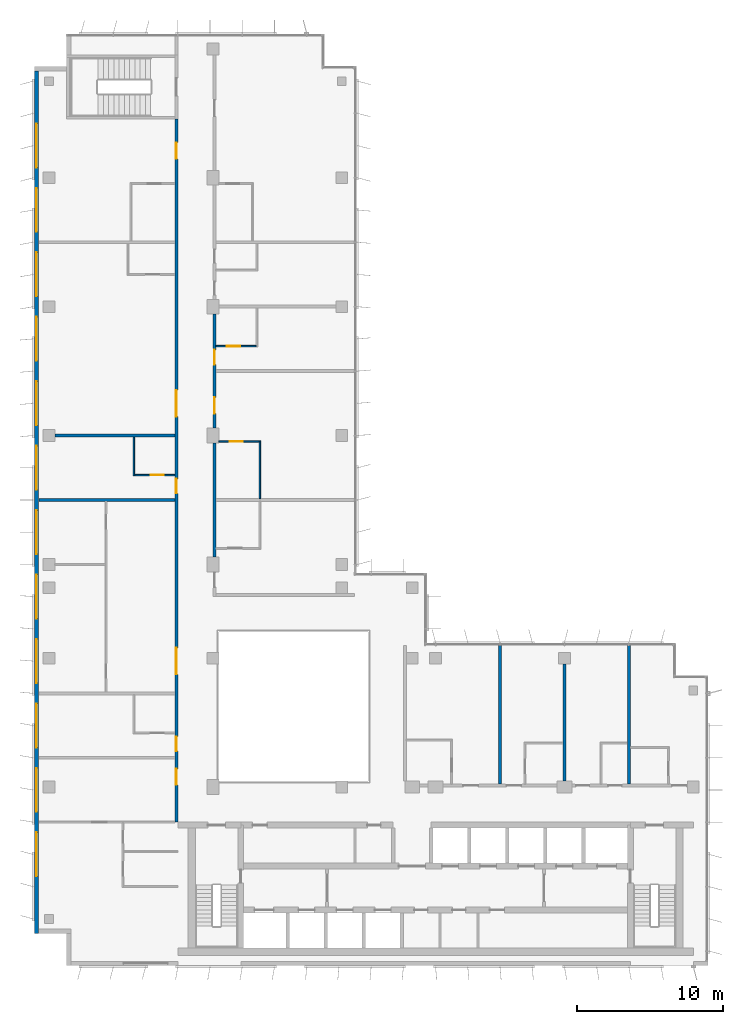
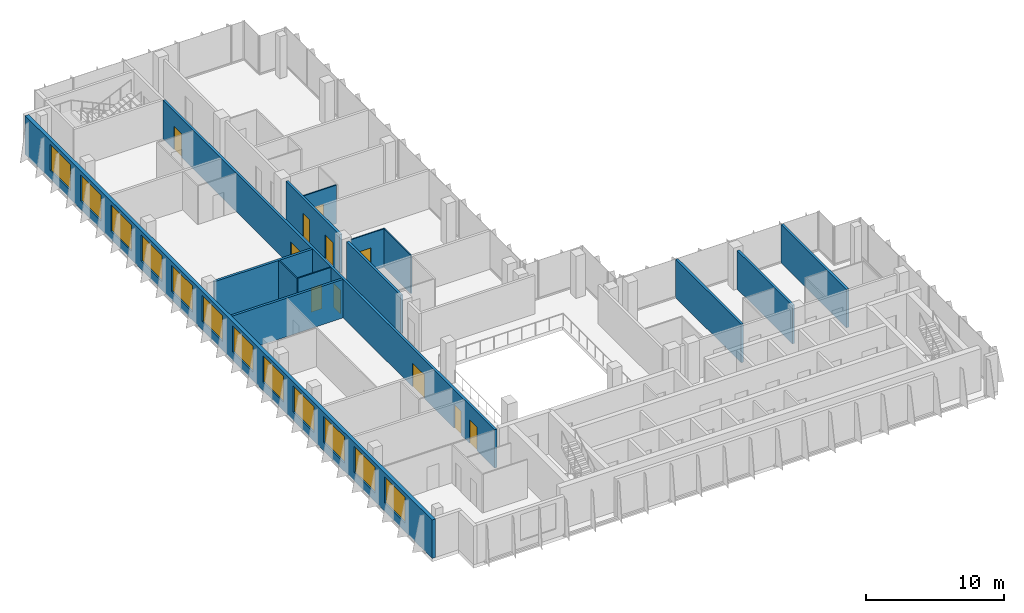
# One storey, part 11 of 15: 14 walls, 12 windows, 11 doors, 23 openings.
"""IFC4 building model written with IfcOpenShell, lengths in metres."""

from ifc_helpers import new_model, si_unit, direction, frame, frame_2d, origin, place, context, subcontext, project, spatial, rectangle, extrude, material, layer, layer_set, type_object, element, fill, save


model = new_model("IFC4")

# Units and contexts
model_context = context("Model", 3, precision=1e-05, world=origin(), true_north=direction((0.0, 1.0)))
body_context = subcontext(model_context, "Body", "Model", "MODEL_VIEW")
ifc_project = project(units=[si_unit("LENGTHUNIT", "METRE"), si_unit("AREAUNIT", "SQUARE_METRE"), si_unit("VOLUMEUNIT", "CUBIC_METRE"), si_unit("PLANEANGLEUNIT", "RADIAN"), si_unit("MASSUNIT", "GRAM", prefix="KILO")], contexts=[model_context])

# Site, building, storey
site_placement = place(None, origin())
site = spatial("IfcSite", under=ifc_project, at=site_placement, CompositionType="ELEMENT")
building_placement = place(site_placement, origin())
building = spatial("IfcBuilding", under=site, at=building_placement, Name="Kemantara Hotel Tower", CompositionType="ELEMENT")
storey_placement = place(building_placement, frame((0.0, 0.0, 275.89990234375)))
storey = spatial("IfcBuildingStorey", under=building, at=storey_placement, Name="L69", CompositionType="ELEMENT", Elevation=275.89990234375)

# Wall, openings, windows
ifc_material_1 = material(Name="Bronze anodised aluminium cladding on insulated steel stud wall", Category="steel")
ifc_layer_1 = layer(ifc_material_1, 0.300048828125)
ifc_layer_set_1 = layer_set([ifc_layer_1], Name="Bronze anodised aluminium cladding on insulated steel stud wall")
wall_type_1 = type_object("IfcWallType", Name="BRONZE METAL-CLAD EXTERNAL WALL 300", PredefinedType="STANDARD", material=ifc_layer_set_1)
wall_1_placement = place(storey_placement, frame((0.14990234375, 61.10009765625, 0.0), z_axis=(0.0, 0.0, 1.0), x_axis=(0.0, -1.0, 0.0)))
wall_1 = element("IfcWall", 1, at=wall_1_placement, inside=storey, type_object=wall_type_1, Name="EXTERNAL WALL L69 T4-R05", PredefinedType="STANDARD", context=body_context, shape_type="SweptSolid", body=[
    extrude(rectangle(XDim=58.900146484375, YDim=0.300048828125, at=frame_2d((29.4501953125, 0.0))), origin(), (0.0, 0.0, 1.0), 3.400146484375),
])
opening_1_placement = place(wall_1_placement, frame((3.60009765625, 0.0, 0.75)))
opening_1 = element("IfcOpeningElement", 2, at=opening_1_placement, cuts=wall_1, Name="Opening W1", PredefinedType="OPENING", context=body_context, shape_type="SweptSolid", body=[
    extrude(rectangle(XDim=3.0, YDim=2.300048828125, at=frame_2d((1.5, 1.14990234375))), frame((0.0, 0.159912109375, 0.0), z_axis=(0.0, -1.0, 0.0), x_axis=(1.0, 0.0, 0.0)), (0.0, 0.0, 1.0), 0.320068359375),
])
opening_2_placement = place(wall_1_placement, frame((8.0, 0.0, 0.75)))
opening_2 = element("IfcOpeningElement", 3, at=opening_2_placement, cuts=wall_1, Name="Opening W1", PredefinedType="OPENING", context=body_context, shape_type="SweptSolid", body=[
    extrude(rectangle(XDim=3.0, YDim=2.300048828125, at=frame_2d((1.5, 1.14990234375))), frame((0.0, 0.159912109375, 0.0), z_axis=(0.0, -1.0, 0.0), x_axis=(1.0, 0.0, 0.0)), (0.0, 0.0, 1.0), 0.320068359375),
])
opening_3_placement = place(wall_1_placement, frame((12.39990234375, 0.0, 0.75)))
opening_3 = element("IfcOpeningElement", 4, at=opening_3_placement, cuts=wall_1, Name="Opening W1", PredefinedType="OPENING", context=body_context, shape_type="SweptSolid", body=[
    extrude(rectangle(XDim=3.0, YDim=2.300048828125, at=frame_2d((1.5, 1.14990234375))), frame((0.0, 0.159912109375, 0.0), z_axis=(0.0, -1.0, 0.0), x_axis=(1.0, 0.0, 0.0)), (0.0, 0.0, 1.0), 0.320068359375),
])
opening_4_placement = place(wall_1_placement, frame((16.800048828125, 0.0, 0.75)))
opening_4 = element("IfcOpeningElement", 5, at=opening_4_placement, cuts=wall_1, Name="Opening W1", PredefinedType="OPENING", context=body_context, shape_type="SweptSolid", body=[
    extrude(rectangle(XDim=3.0, YDim=2.300048828125, at=frame_2d((1.5, 1.14990234375))), frame((0.0, 0.159912109375, 0.0), z_axis=(0.0, -1.0, 0.0), x_axis=(1.0, 0.0, 0.0)), (0.0, 0.0, 1.0), 0.320068359375),
])
opening_5_placement = place(wall_1_placement, frame((21.199951171875, 0.0, 0.75)))
opening_5 = element("IfcOpeningElement", 6, at=opening_5_placement, cuts=wall_1, Name="Opening W1", PredefinedType="OPENING", context=body_context, shape_type="SweptSolid", body=[
    extrude(rectangle(XDim=3.0, YDim=2.300048828125, at=frame_2d((1.5, 1.14990234375))), frame((0.0, 0.159912109375, 0.0), z_axis=(0.0, -1.0, 0.0), x_axis=(1.0, 0.0, 0.0)), (0.0, 0.0, 1.0), 0.320068359375),
])
opening_6_placement = place(wall_1_placement, frame((25.60009765625, 0.0, 0.75)))
opening_6 = element("IfcOpeningElement", 7, at=opening_6_placement, cuts=wall_1, Name="Opening W1", PredefinedType="OPENING", context=body_context, shape_type="SweptSolid", body=[
    extrude(rectangle(XDim=3.0, YDim=2.300048828125, at=frame_2d((1.5, 1.14990234375))), frame((0.0, 0.159912109375, 0.0), z_axis=(0.0, -1.0, 0.0), x_axis=(1.0, 0.0, 0.0)), (0.0, 0.0, 1.0), 0.320068359375),
])
opening_7_placement = place(wall_1_placement, frame((30.0, 0.0, 0.75)))
opening_7 = element("IfcOpeningElement", 8, at=opening_7_placement, cuts=wall_1, Name="Opening W1", PredefinedType="OPENING", context=body_context, shape_type="SweptSolid", body=[
    extrude(rectangle(XDim=3.0, YDim=2.300048828125, at=frame_2d((1.5, 1.14990234375))), frame((0.0, 0.159912109375, 0.0), z_axis=(0.0, -1.0, 0.0), x_axis=(1.0, 0.0, 0.0)), (0.0, 0.0, 1.0), 0.320068359375),
])
opening_8_placement = place(wall_1_placement, frame((34.39990234375, 0.0, 0.75)))
opening_8 = element("IfcOpeningElement", 9, at=opening_8_placement, cuts=wall_1, Name="Opening W1", PredefinedType="OPENING", context=body_context, shape_type="SweptSolid", body=[
    extrude(rectangle(XDim=3.0, YDim=2.300048828125, at=frame_2d((1.5, 1.14990234375))), frame((0.0, 0.159912109375, 0.0), z_axis=(0.0, -1.0, 0.0), x_axis=(1.0, 0.0, 0.0)), (0.0, 0.0, 1.0), 0.320068359375),
])
opening_9_placement = place(wall_1_placement, frame((38.800048828125, 0.0, 0.75)))
opening_9 = element("IfcOpeningElement", 10, at=opening_9_placement, cuts=wall_1, Name="Opening W1", PredefinedType="OPENING", context=body_context, shape_type="SweptSolid", body=[
    extrude(rectangle(XDim=3.0, YDim=2.300048828125, at=frame_2d((1.5, 1.14990234375))), frame((0.0, 0.159912109375, 0.0), z_axis=(0.0, -1.0, 0.0), x_axis=(1.0, 0.0, 0.0)), (0.0, 0.0, 1.0), 0.320068359375),
])
opening_10_placement = place(wall_1_placement, frame((43.199951171875, 0.0, 0.75)))
opening_10 = element("IfcOpeningElement", 11, at=opening_10_placement, cuts=wall_1, Name="Opening W1", PredefinedType="OPENING", context=body_context, shape_type="SweptSolid", body=[
    extrude(rectangle(XDim=3.0, YDim=2.300048828125, at=frame_2d((1.5, 1.14990234375))), frame((0.0, 0.159912109375, 0.0), z_axis=(0.0, -1.0, 0.0), x_axis=(1.0, 0.0, 0.0)), (0.0, 0.0, 1.0), 0.320068359375),
])
opening_11_placement = place(wall_1_placement, frame((47.60009765625, 0.0, 0.75)))
opening_11 = element("IfcOpeningElement", 12, at=opening_11_placement, cuts=wall_1, Name="Opening W1", PredefinedType="OPENING", context=body_context, shape_type="SweptSolid", body=[
    extrude(rectangle(XDim=3.0, YDim=2.300048828125, at=frame_2d((1.5, 1.14990234375))), frame((0.0, 0.159912109375, 0.0), z_axis=(0.0, -1.0, 0.0), x_axis=(1.0, 0.0, 0.0)), (0.0, 0.0, 1.0), 0.320068359375),
])
opening_12_placement = place(wall_1_placement, frame((52.0, 0.0, 0.75)))
opening_12 = element("IfcOpeningElement", 13, at=opening_12_placement, cuts=wall_1, Name="Opening W1", PredefinedType="OPENING", context=body_context, shape_type="SweptSolid", body=[
    extrude(rectangle(XDim=3.0, YDim=2.300048828125, at=frame_2d((1.5, 1.14990234375))), frame((0.0, 0.159912109375, 0.0), z_axis=(0.0, -1.0, 0.0), x_axis=(1.0, 0.0, 0.0)), (0.0, 0.0, 1.0), 0.320068359375),
])
ifc_material_2 = material(Name="Low-E tinted double insulated glass in bronze anodised aluminium frame", Category="aluminium")
window_type = type_object("IfcWindowType", Name="CHICAGO WINDOW, TRIPLE PANEL 3000x2300", PartitioningType="TRIPLE_PANEL_VERTICAL", PredefinedType="WINDOW", material=ifc_material_2)
window_1_placement = place(opening_1_placement, origin())
window_1 = element("IfcWindow", 14, at=window_1_placement, inside=storey, type_object=window_type, Name="CHICAGO WINDOW L69 T4-R05-54", OverallHeight=2.300048828125, OverallWidth=3.0, PartitioningType="SINGLE_PANEL", PredefinedType="WINDOW", context=body_context, shape_type="SweptSolid", body=[
    extrude(rectangle(XDim=3.0, YDim=2.300048828125, at=frame_2d((1.5, 1.14990234375))), frame((0.0, 0.030029296875, 0.0), z_axis=(0.0, -1.0, 0.0), x_axis=(1.0, 0.0, 0.0)), (0.0, 0.0, 1.0), 0.06005859375),
])
fill(opening_1, window_1)
window_2_placement = place(opening_2_placement, origin())
window_2 = element("IfcWindow", 15, at=window_2_placement, inside=storey, type_object=window_type, Name="CHICAGO WINDOW L69 T4-R05-98", OverallHeight=2.300048828125, OverallWidth=3.0, PartitioningType="SINGLE_PANEL", PredefinedType="WINDOW", context=body_context, shape_type="SweptSolid", body=[
    extrude(rectangle(XDim=3.0, YDim=2.300048828125, at=frame_2d((1.5, 1.14990234375))), frame((0.0, 0.030029296875, 0.0), z_axis=(0.0, -1.0, 0.0), x_axis=(1.0, 0.0, 0.0)), (0.0, 0.0, 1.0), 0.06005859375),
])
fill(opening_2, window_2)
window_3_placement = place(opening_3_placement, origin())
window_3 = element("IfcWindow", 16, at=window_3_placement, inside=storey, type_object=window_type, Name="CHICAGO WINDOW L69 T4-R05-142", OverallHeight=2.300048828125, OverallWidth=3.0, PartitioningType="SINGLE_PANEL", PredefinedType="WINDOW", context=body_context, shape_type="SweptSolid", body=[
    extrude(rectangle(XDim=3.0, YDim=2.300048828125, at=frame_2d((1.5, 1.14990234375))), frame((0.0, 0.030029296875, 0.0), z_axis=(0.0, -1.0, 0.0), x_axis=(1.0, 0.0, 0.0)), (0.0, 0.0, 1.0), 0.06005859375),
])
fill(opening_3, window_3)
window_4_placement = place(opening_4_placement, origin())
window_4 = element("IfcWindow", 17, at=window_4_placement, inside=storey, type_object=window_type, Name="CHICAGO WINDOW L69 T4-R05-186", OverallHeight=2.300048828125, OverallWidth=3.0, PartitioningType="SINGLE_PANEL", PredefinedType="WINDOW", context=body_context, shape_type="SweptSolid", body=[
    extrude(rectangle(XDim=3.0, YDim=2.300048828125, at=frame_2d((1.5, 1.14990234375))), frame((0.0, 0.030029296875, 0.0), z_axis=(0.0, -1.0, 0.0), x_axis=(1.0, 0.0, 0.0)), (0.0, 0.0, 1.0), 0.06005859375),
])
fill(opening_4, window_4)
window_5_placement = place(opening_5_placement, origin())
window_5 = element("IfcWindow", 18, at=window_5_placement, inside=storey, type_object=window_type, Name="CHICAGO WINDOW L69 T4-R05-230", OverallHeight=2.300048828125, OverallWidth=3.0, PartitioningType="SINGLE_PANEL", PredefinedType="WINDOW", context=body_context, shape_type="SweptSolid", body=[
    extrude(rectangle(XDim=3.0, YDim=2.300048828125, at=frame_2d((1.5, 1.14990234375))), frame((0.0, 0.030029296875, 0.0), z_axis=(0.0, -1.0, 0.0), x_axis=(1.0, 0.0, 0.0)), (0.0, 0.0, 1.0), 0.06005859375),
])
fill(opening_5, window_5)
window_6_placement = place(opening_6_placement, origin())
window_6 = element("IfcWindow", 19, at=window_6_placement, inside=storey, type_object=window_type, Name="CHICAGO WINDOW L69 T4-R05-274", OverallHeight=2.300048828125, OverallWidth=3.0, PartitioningType="SINGLE_PANEL", PredefinedType="WINDOW", context=body_context, shape_type="SweptSolid", body=[
    extrude(rectangle(XDim=3.0, YDim=2.300048828125, at=frame_2d((1.5, 1.14990234375))), frame((0.0, 0.030029296875, 0.0), z_axis=(0.0, -1.0, 0.0), x_axis=(1.0, 0.0, 0.0)), (0.0, 0.0, 1.0), 0.06005859375),
])
fill(opening_6, window_6)
window_7_placement = place(opening_7_placement, origin())
window_7 = element("IfcWindow", 20, at=window_7_placement, inside=storey, type_object=window_type, Name="CHICAGO WINDOW L69 T4-R05-318", OverallHeight=2.300048828125, OverallWidth=3.0, PartitioningType="SINGLE_PANEL", PredefinedType="WINDOW", context=body_context, shape_type="SweptSolid", body=[
    extrude(rectangle(XDim=3.0, YDim=2.300048828125, at=frame_2d((1.5, 1.14990234375))), frame((0.0, 0.030029296875, 0.0), z_axis=(0.0, -1.0, 0.0), x_axis=(1.0, 0.0, 0.0)), (0.0, 0.0, 1.0), 0.06005859375),
])
fill(opening_7, window_7)
window_8_placement = place(opening_8_placement, origin())
window_8 = element("IfcWindow", 21, at=window_8_placement, inside=storey, type_object=window_type, Name="CHICAGO WINDOW L69 T4-R05-362", OverallHeight=2.300048828125, OverallWidth=3.0, PartitioningType="SINGLE_PANEL", PredefinedType="WINDOW", context=body_context, shape_type="SweptSolid", body=[
    extrude(rectangle(XDim=3.0, YDim=2.300048828125, at=frame_2d((1.5, 1.14990234375))), frame((0.0, 0.030029296875, 0.0), z_axis=(0.0, -1.0, 0.0), x_axis=(1.0, 0.0, 0.0)), (0.0, 0.0, 1.0), 0.06005859375),
])
fill(opening_8, window_8)
window_9_placement = place(opening_9_placement, origin())
window_9 = element("IfcWindow", 22, at=window_9_placement, inside=storey, type_object=window_type, Name="CHICAGO WINDOW L69 T4-R05-406", OverallHeight=2.300048828125, OverallWidth=3.0, PartitioningType="SINGLE_PANEL", PredefinedType="WINDOW", context=body_context, shape_type="SweptSolid", body=[
    extrude(rectangle(XDim=3.0, YDim=2.300048828125, at=frame_2d((1.5, 1.14990234375))), frame((0.0, 0.030029296875, 0.0), z_axis=(0.0, -1.0, 0.0), x_axis=(1.0, 0.0, 0.0)), (0.0, 0.0, 1.0), 0.06005859375),
])
fill(opening_9, window_9)
window_10_placement = place(opening_10_placement, origin())
window_10 = element("IfcWindow", 23, at=window_10_placement, inside=storey, type_object=window_type, Name="CHICAGO WINDOW L69 T4-R05-450", OverallHeight=2.300048828125, OverallWidth=3.0, PartitioningType="SINGLE_PANEL", PredefinedType="WINDOW", context=body_context, shape_type="SweptSolid", body=[
    extrude(rectangle(XDim=3.0, YDim=2.300048828125, at=frame_2d((1.5, 1.14990234375))), frame((0.0, 0.030029296875, 0.0), z_axis=(0.0, -1.0, 0.0), x_axis=(1.0, 0.0, 0.0)), (0.0, 0.0, 1.0), 0.06005859375),
])
fill(opening_10, window_10)
window_11_placement = place(opening_11_placement, origin())
window_11 = element("IfcWindow", 24, at=window_11_placement, inside=storey, type_object=window_type, Name="CHICAGO WINDOW L69 T4-R05-494", OverallHeight=2.300048828125, OverallWidth=3.0, PartitioningType="SINGLE_PANEL", PredefinedType="WINDOW", context=body_context, shape_type="SweptSolid", body=[
    extrude(rectangle(XDim=3.0, YDim=2.300048828125, at=frame_2d((1.5, 1.14990234375))), frame((0.0, 0.030029296875, 0.0), z_axis=(0.0, -1.0, 0.0), x_axis=(1.0, 0.0, 0.0)), (0.0, 0.0, 1.0), 0.06005859375),
])
fill(opening_11, window_11)
window_12_placement = place(opening_12_placement, origin())
window_12 = element("IfcWindow", 25, at=window_12_placement, inside=storey, type_object=window_type, Name="CHICAGO WINDOW L69 T4-R05-538", OverallHeight=2.300048828125, OverallWidth=3.0, PartitioningType="SINGLE_PANEL", PredefinedType="WINDOW", context=body_context, shape_type="SweptSolid", body=[
    extrude(rectangle(XDim=3.0, YDim=2.300048828125, at=frame_2d((1.5, 1.14990234375))), frame((0.0, 0.030029296875, 0.0), z_axis=(0.0, -1.0, 0.0), x_axis=(1.0, 0.0, 0.0)), (0.0, 0.0, 1.0), 0.06005859375),
])
fill(opening_12, window_12)

# Wall, openings, doors
ifc_material_3 = material(Name="Gypsum board partition, steel studs and mineral wool, 200 mm", Category="steel")
ifc_layer_2 = layer(ifc_material_3, 0.199951171875)
ifc_layer_set_2 = layer_set([ifc_layer_2], Name="Gypsum board partition, steel studs and mineral wool, 200 mm")
wall_type_2 = type_object("IfcWallType", Name="CORRIDOR WALL 200", PredefinedType="PARTITIONING", material=ifc_layer_set_2)
wall_2_placement = place(storey_placement, frame((9.699951171875, 9.800048828125, 0.0), z_axis=(0.0, 0.0, 1.0), x_axis=(0.0, 1.0, 0.0)))
wall_2 = element("IfcWall", 26, at=wall_2_placement, inside=storey, type_object=wall_type_2, Name="CORRIDOR WALL 200 008", PredefinedType="PARTITIONING", context=body_context, shape_type="SweptSolid", body=[
    extrude(rectangle(XDim=48.0, YDim=0.199951171875, at=frame_2d((24.0, 0.0))), origin(), (0.0, 0.0, 1.0), 3.400146484375),
])
opening_13_placement = place(wall_2_placement, frame((2.550048828125, 0.0, 0.0)))
opening_13 = element("IfcOpeningElement", 27, at=opening_13_placement, cuts=wall_2, Name="Opening F34-009", PredefinedType="OPENING", context=body_context, shape_type="SweptSolid", body=[
    extrude(rectangle(XDim=1.10009765625, YDim=2.10009765625, at=frame_2d((0.550048828125, 1.050048828125))), frame((0.0, 0.10986328125, 0.0), z_axis=(0.0, -1.0, 0.0), x_axis=(1.0, 0.0, 0.0)), (0.0, 0.0, 1.0), 0.219970703125),
])
opening_14_placement = place(wall_2_placement, frame((4.85009765625, 0.0, 0.0)))
opening_14 = element("IfcOpeningElement", 28, at=opening_14_placement, cuts=wall_2, Name="Opening F34-013", PredefinedType="OPENING", context=body_context, shape_type="SweptSolid", body=[
    extrude(rectangle(XDim=1.0, YDim=2.10009765625, at=frame_2d((0.5, 1.050048828125))), frame((0.0, 0.10986328125, 0.0), z_axis=(0.0, -1.0, 0.0), x_axis=(1.0, 0.0, 0.0)), (0.0, 0.0, 1.0), 0.219970703125),
])
opening_15_placement = place(wall_2_placement, frame((10.10009765625, 0.0, 0.0)))
opening_15 = element("IfcOpeningElement", 29, at=opening_15_placement, cuts=wall_2, Name="Opening F34-015", PredefinedType="OPENING", context=body_context, shape_type="SweptSolid", body=[
    extrude(rectangle(XDim=1.800048828125, YDim=2.10009765625, at=frame_2d((0.89990234375, 1.050048828125))), frame((0.0, 0.10986328125, 0.0), z_axis=(0.0, -1.0, 0.0), x_axis=(1.0, 0.0, 0.0)), (0.0, 0.0, 1.0), 0.219970703125),
])
opening_16_placement = place(wall_2_placement, frame((22.449951171875, 0.0, 0.0)))
opening_16 = element("IfcOpeningElement", 30, at=opening_16_placement, cuts=wall_2, Name="Opening F34-018", PredefinedType="OPENING", context=body_context, shape_type="SweptSolid", body=[
    extrude(rectangle(XDim=1.0, YDim=2.10009765625, at=frame_2d((0.5, 1.050048828125))), frame((0.0, 0.10986328125, 0.0), z_axis=(0.0, -1.0, 0.0), x_axis=(1.0, 0.0, 0.0)), (0.0, 0.0, 1.0), 0.219970703125),
])
opening_17_placement = place(wall_2_placement, frame((27.699951171875, 0.0, 0.0)))
opening_17 = element("IfcOpeningElement", 31, at=opening_17_placement, cuts=wall_2, Name="Opening F34-020", PredefinedType="OPENING", context=body_context, shape_type="SweptSolid", body=[
    extrude(rectangle(XDim=1.800048828125, YDim=2.10009765625, at=frame_2d((0.89990234375, 1.050048828125))), frame((0.0, 0.10986328125, 0.0), z_axis=(0.0, -1.0, 0.0), x_axis=(1.0, 0.0, 0.0)), (0.0, 0.0, 1.0), 0.219970703125),
])
opening_18_placement = place(wall_2_placement, frame((45.300048828125, 0.0, 0.0)))
opening_18 = element("IfcOpeningElement", 32, at=opening_18_placement, cuts=wall_2, Name="Opening F34-022", PredefinedType="OPENING", context=body_context, shape_type="SweptSolid", body=[
    extrude(rectangle(XDim=1.10009765625, YDim=2.10009765625, at=frame_2d((0.550048828125, 1.050048828125))), frame((0.0, 0.10986328125, 0.0), z_axis=(0.0, -1.0, 0.0), x_axis=(1.0, 0.0, 0.0)), (0.0, 0.0, 1.0), 0.219970703125),
])
ifc_material_4 = material(Name="Hardwood veneer door leaf with steel frame", Category="steel")
door_type_1 = type_object("IfcDoorType", Name="AMENITY ROOM DOOR 1800 X 2100 FD30S", OperationType="NOTDEFINED", PredefinedType="DOOR", material=ifc_material_4)
door_1_placement = place(opening_15_placement, origin())
door_1 = element("IfcDoor", 33, at=door_1_placement, inside=storey, type_object=door_type_1, Name="AMENITY ROOM DOOR F34-015", OperationType="DOUBLE_DOOR_SINGLE_SWING", OverallHeight=2.10009765625, OverallWidth=1.800048828125, PredefinedType="DOOR", context=body_context, shape_type="SweptSolid", body=[
    extrude(rectangle(XDim=1.800048828125, YDim=2.10009765625, at=frame_2d((0.89990234375, 1.050048828125))), frame((0.0, 0.02490234375, 0.0), z_axis=(0.0, -1.0, 0.0), x_axis=(1.0, 0.0, 0.0)), (0.0, 0.0, 1.0), 0.050048828125),
])
fill(opening_15, door_1)
door_type_2 = type_object("IfcDoorType", Name="GUEST ROOM DOOR 1000 X 2100 FD30S", OperationType="NOTDEFINED", PredefinedType="DOOR", material=ifc_material_4)
door_2_placement = place(opening_14_placement, origin())
door_2 = element("IfcDoor", 34, at=door_2_placement, inside=storey, type_object=door_type_2, Name="GUEST ROOM DOOR F34-013", OperationType="SINGLE_SWING_LEFT", OverallHeight=2.10009765625, OverallWidth=1.0, PredefinedType="DOOR", context=body_context, shape_type="SweptSolid", body=[
    extrude(rectangle(XDim=1.0, YDim=2.10009765625, at=frame_2d((0.5, 1.050048828125))), frame((0.0, 0.02490234375, 0.0), z_axis=(0.0, -1.0, 0.0), x_axis=(1.0, 0.0, 0.0)), (0.0, 0.0, 1.0), 0.050048828125),
])
fill(opening_14, door_2)
door_3_placement = place(opening_16_placement, origin())
door_3 = element("IfcDoor", 35, at=door_3_placement, inside=storey, type_object=door_type_2, Name="GUEST ROOM DOOR F34-018", OperationType="SINGLE_SWING_LEFT", OverallHeight=2.10009765625, OverallWidth=1.0, PredefinedType="DOOR", context=body_context, shape_type="SweptSolid", body=[
    extrude(rectangle(XDim=1.0, YDim=2.10009765625, at=frame_2d((0.5, 1.050048828125))), frame((0.0, 0.02490234375, 0.0), z_axis=(0.0, -1.0, 0.0), x_axis=(1.0, 0.0, 0.0)), (0.0, 0.0, 1.0), 0.050048828125),
])
fill(opening_16, door_3)
door_type_3 = type_object("IfcDoorType", Name="GUEST ROOM DOOR 1800 X 2100 FD30S", OperationType="NOTDEFINED", PredefinedType="DOOR", material=ifc_material_4)
door_4_placement = place(opening_17_placement, origin())
door_4 = element("IfcDoor", 36, at=door_4_placement, inside=storey, type_object=door_type_3, Name="GUEST ROOM DOOR F34-020", OperationType="DOUBLE_DOOR_SINGLE_SWING", OverallHeight=2.10009765625, OverallWidth=1.800048828125, PredefinedType="DOOR", context=body_context, shape_type="SweptSolid", body=[
    extrude(rectangle(XDim=1.800048828125, YDim=2.10009765625, at=frame_2d((0.89990234375, 1.050048828125))), frame((0.0, 0.02490234375, 0.0), z_axis=(0.0, -1.0, 0.0), x_axis=(1.0, 0.0, 0.0)), (0.0, 0.0, 1.0), 0.050048828125),
])
fill(opening_17, door_4)
door_type_4 = type_object("IfcDoorType", Name="SUITE ENTRANCE DOOR 1100 X 2100 FD30S", OperationType="NOTDEFINED", PredefinedType="DOOR", material=ifc_material_4)
door_5_placement = place(opening_13_placement, origin())
door_5 = element("IfcDoor", 37, at=door_5_placement, inside=storey, type_object=door_type_4, Name="SUITE ENTRANCE DOOR F34-009", OperationType="SINGLE_SWING_RIGHT", OverallHeight=2.10009765625, OverallWidth=1.10009765625, PredefinedType="DOOR", context=body_context, shape_type="SweptSolid", body=[
    extrude(rectangle(XDim=1.10009765625, YDim=2.10009765625, at=frame_2d((0.550048828125, 1.050048828125))), frame((0.0, 0.02490234375, 0.0), z_axis=(0.0, -1.0, 0.0), x_axis=(1.0, 0.0, 0.0)), (0.0, 0.0, 1.0), 0.050048828125),
])
fill(opening_13, door_5)
door_6_placement = place(opening_18_placement, origin())
door_6 = element("IfcDoor", 38, at=door_6_placement, inside=storey, type_object=door_type_4, Name="SUITE ENTRANCE DOOR F34-022", OperationType="SINGLE_SWING_RIGHT", OverallHeight=2.10009765625, OverallWidth=1.10009765625, PredefinedType="DOOR", context=body_context, shape_type="SweptSolid", body=[
    extrude(rectangle(XDim=1.10009765625, YDim=2.10009765625, at=frame_2d((0.550048828125, 1.050048828125))), frame((0.0, 0.02490234375, 0.0), z_axis=(0.0, -1.0, 0.0), x_axis=(1.0, 0.0, 0.0)), (0.0, 0.0, 1.0), 0.050048828125),
])
fill(opening_18, door_6)

# Wall
wall_3_placement = place(storey_placement, frame((12.300048828125, 27.900146484375, 0.0), z_axis=(0.0, 0.0, 1.0), x_axis=(0.0, 1.0, 0.0)))
element("IfcWall", 39, at=wall_3_placement, inside=storey, type_object=wall_type_2, Name="CORRIDOR WALL 200 018", PredefinedType="PARTITIONING", context=body_context, shape_type="SweptSolid", body=[
    extrude(rectangle(XDim=7.7998046875, YDim=0.199951171875, at=frame_2d((3.89990234375, 0.0))), origin(), (0.0, 0.0, 1.0), 3.400146484375),
])

# Wall, openings, doors
wall_4_placement = place(storey_placement, frame((12.300048828125, 44.5, 0.0), z_axis=(0.0, 0.0, 1.0), x_axis=(0.0, -1.0, 0.0)))
wall_4 = element("IfcWall", 40, at=wall_4_placement, inside=storey, type_object=wall_type_2, Name="CORRIDOR WALL 200 019", PredefinedType="PARTITIONING", context=body_context, shape_type="SweptSolid", body=[
    extrude(rectangle(XDim=7.7998046875, YDim=0.199951171875, at=frame_2d((3.89990234375, 0.0))), origin(), (0.0, 0.0, 1.0), 3.400146484375),
])
opening_19_placement = place(wall_4_placement, frame((5.699951171875, 0.0, 0.0)))
opening_19 = element("IfcOpeningElement", 41, at=opening_19_placement, cuts=wall_4, Name="Opening F34-026", PredefinedType="OPENING", context=body_context, shape_type="SweptSolid", body=[
    extrude(rectangle(XDim=1.10009765625, YDim=2.10009765625, at=frame_2d((0.550048828125, 1.050048828125))), frame((0.0, 0.10986328125, 0.0), z_axis=(0.0, -1.0, 0.0), x_axis=(1.0, 0.0, 0.0)), (0.0, 0.0, 1.0), 0.219970703125),
])
opening_20_placement = place(wall_4_placement, frame((2.449951171875, 0.0, 0.0)))
opening_20 = element("IfcOpeningElement", 42, at=opening_20_placement, cuts=wall_4, Name="Opening F34-028", PredefinedType="OPENING", context=body_context, shape_type="SweptSolid", body=[
    extrude(rectangle(XDim=1.0, YDim=2.10009765625, at=frame_2d((0.5, 1.050048828125))), frame((0.0, 0.10986328125, 0.0), z_axis=(0.0, -1.0, 0.0), x_axis=(1.0, 0.0, 0.0)), (0.0, 0.0, 1.0), 0.219970703125),
])
door_7_placement = place(opening_20_placement, origin())
door_7 = element("IfcDoor", 43, at=door_7_placement, inside=storey, type_object=door_type_2, Name="GUEST ROOM DOOR F34-028", OperationType="SINGLE_SWING_RIGHT", OverallHeight=2.10009765625, OverallWidth=1.0, PredefinedType="DOOR", context=body_context, shape_type="SweptSolid", body=[
    extrude(rectangle(XDim=1.0, YDim=2.10009765625, at=frame_2d((0.5, 1.050048828125))), frame((0.0, 0.02490234375, 0.0), z_axis=(0.0, -1.0, 0.0), x_axis=(1.0, 0.0, 0.0)), (0.0, 0.0, 1.0), 0.050048828125),
])
fill(opening_20, door_7)
door_8_placement = place(opening_19_placement, origin())
door_8 = element("IfcDoor", 44, at=door_8_placement, inside=storey, type_object=door_type_4, Name="SUITE ENTRANCE DOOR F34-026", OperationType="SINGLE_SWING_LEFT", OverallHeight=2.10009765625, OverallWidth=1.10009765625, PredefinedType="DOOR", context=body_context, shape_type="SweptSolid", body=[
    extrude(rectangle(XDim=1.10009765625, YDim=2.10009765625, at=frame_2d((0.550048828125, 1.050048828125))), frame((0.0, 0.02490234375, 0.0), z_axis=(0.0, -1.0, 0.0), x_axis=(1.0, 0.0, 0.0)), (0.0, 0.0, 1.0), 0.050048828125),
])
fill(opening_19, door_8)

# Walls
ifc_layer_3 = layer(ifc_material_3, 0.199951171875)
ifc_layer_set_3 = layer_set([ifc_layer_3], Name="Gypsum board partition, steel studs and mineral wool, 200 mm")
wall_type_3 = type_object("IfcWallType", Name="GUEST ROOM PARTY WALL 200", PredefinedType="PARTITIONING", material=ifc_layer_set_3)
wall_5_placement = place(storey_placement, frame((31.800048828125, 12.39990234375, 0.0), z_axis=(0.0, 0.0, 1.0), x_axis=(0.0, 1.0, 0.0)))
element("IfcWall", 45, at=wall_5_placement, inside=storey, type_object=wall_type_3, Name="GUEST ROOM PARTY WALL 200 005", PredefinedType="PARTITIONING", context=body_context, shape_type="SweptSolid", body=[
    extrude(rectangle(XDim=9.47021484375, YDim=0.199951171875, at=frame_2d((4.735107421875, 0.0))), origin(), (0.0, 0.0, 1.0), 3.400146484375),
])
wall_6_placement = place(storey_placement, frame((36.199951171875, 12.60009765625, 0.0), z_axis=(0.0, 0.0, 1.0), x_axis=(0.0, 1.0, 0.0)))
element("IfcWall", 46, at=wall_6_placement, inside=storey, type_object=wall_type_3, Name="GUEST ROOM PARTY WALL 200 006", PredefinedType="PARTITIONING", context=body_context, shape_type="SweptSolid", body=[
    extrude(rectangle(XDim=7.999755859375, YDim=0.199951171875, at=frame_2d((4.0, 0.0))), origin(), (0.0, 0.0, 1.0), 3.400146484375),
])
wall_7_placement = place(storey_placement, frame((40.60009765625, 12.39990234375, 0.0), z_axis=(0.0, 0.0, 1.0), x_axis=(0.0, 1.0, 0.0)))
element("IfcWall", 47, at=wall_7_placement, inside=storey, type_object=wall_type_3, Name="GUEST ROOM PARTY WALL 200 007", PredefinedType="PARTITIONING", context=body_context, shape_type="SweptSolid", body=[
    extrude(rectangle(XDim=9.47021484375, YDim=0.199951171875, at=frame_2d((4.735107421875, 0.0))), origin(), (0.0, 0.0, 1.0), 3.400146484375),
])
wall_8_placement = place(storey_placement, frame((0.31005859375, 31.800048828125, 0.0), z_axis=(0.0, 0.0, 1.0), x_axis=(1.0, 0.0, 0.0)))
element("IfcWall", 48, at=wall_8_placement, inside=storey, type_object=wall_type_3, Name="GUEST ROOM PARTY WALL 200 012", PredefinedType="PARTITIONING", context=body_context, shape_type="SweptSolid", body=[
    extrude(rectangle(XDim=9.2900390625, YDim=0.199951171875, at=frame_2d((4.64501953125, 0.0))), origin(), (0.0, 0.0, 1.0), 3.400146484375),
])
wall_9_placement = place(storey_placement, frame((1.400146484375, 36.199951171875, 0.0), z_axis=(0.0, 0.0, 1.0), x_axis=(1.0, 0.0, 0.0)))
element("IfcWall", 49, at=wall_9_placement, inside=storey, type_object=wall_type_3, Name="GUEST ROOM PARTY WALL 200 014", PredefinedType="PARTITIONING", context=body_context, shape_type="SweptSolid", body=[
    extrude(rectangle(XDim=8.199951171875, YDim=0.199951171875, at=frame_2d((4.10009765625, 0.0))), origin(), (0.0, 0.0, 1.0), 3.400146484375),
])
ifc_material_5 = material(Name="Gypsum board partition on steel studs, 100 mm", Category="steel")
ifc_layer_4 = layer(ifc_material_5, 0.10009765625)
ifc_layer_set_4 = layer_set([ifc_layer_4], Name="Gypsum board partition on steel studs, 100 mm")
wall_type_4 = type_object("IfcWallType", Name="ROOM PARTITION 100", PredefinedType="PARTITIONING", material=ifc_layer_set_4)
wall_10_placement = place(storey_placement, frame((6.800048828125, 33.449951171875, 0.0), z_axis=(0.0, 0.0, 1.0), x_axis=(0.0, 1.0, 0.0)))
element("IfcWall", 50, at=wall_10_placement, inside=storey, type_object=wall_type_4, Name="ROOM PARTITION 100 038", PredefinedType="PARTITIONING", context=body_context, shape_type="SweptSolid", body=[
    extrude(rectangle(XDim=2.650146484375, YDim=0.10009765625, at=frame_2d((1.3251953125, 0.0))), origin(), (0.0, 0.0, 1.0), 3.400146484375),
])

# Wall, opening, door
wall_11_placement = place(storey_placement, frame((6.85009765625, 33.5, 0.0), z_axis=(0.0, 0.0, 1.0), x_axis=(1.0, 0.0, 0.0)))
wall_11 = element("IfcWall", 51, at=wall_11_placement, inside=storey, type_object=wall_type_4, Name="ROOM PARTITION 100 042", PredefinedType="PARTITIONING", context=body_context, shape_type="SweptSolid", body=[
    extrude(rectangle(XDim=2.75, YDim=0.10009765625, at=frame_2d((1.375, 0.0))), origin(), (0.0, 0.0, 1.0), 3.400146484375),
])
opening_21_placement = place(wall_11_placement, frame((1.10009765625, 0.0, 0.0)))
opening_21 = element("IfcOpeningElement", 52, at=opening_21_placement, cuts=wall_11, Name="Opening F34-019", PredefinedType="OPENING", context=body_context, shape_type="SweptSolid", body=[
    extrude(rectangle(XDim=0.89990234375, YDim=2.10009765625, at=frame_2d((0.449951171875, 1.050048828125))), frame((0.0, 0.06005859375, 0.0), z_axis=(0.0, -1.0, 0.0), x_axis=(1.0, 0.0, 0.0)), (0.0, 0.0, 1.0), 0.1201171875),
])
door_type_5 = type_object("IfcDoorType", Name="BATHROOM DOOR 900 X 2100", OperationType="NOTDEFINED", PredefinedType="DOOR", material=ifc_material_4)
door_9_placement = place(opening_21_placement, origin())
door_9 = element("IfcDoor", 53, at=door_9_placement, inside=storey, type_object=door_type_5, Name="BATHROOM DOOR F34-019", OperationType="SINGLE_SWING_RIGHT", OverallHeight=2.10009765625, OverallWidth=0.89990234375, PredefinedType="DOOR", context=body_context, shape_type="SweptSolid", body=[
    extrude(rectangle(XDim=0.89990234375, YDim=2.10009765625, at=frame_2d((0.449951171875, 1.050048828125))), frame((0.0, 0.02490234375, 0.0), z_axis=(0.0, -1.0, 0.0), x_axis=(1.0, 0.0, 0.0)), (0.0, 0.0, 1.0), 0.050048828125),
])
fill(opening_21, door_9)

# Wall
wall_12_placement = place(storey_placement, frame((15.39990234375, 31.89990234375, 0.0), z_axis=(0.0, 0.0, 1.0), x_axis=(0.0, 1.0, 0.0)))
element("IfcWall", 54, at=wall_12_placement, inside=storey, type_object=wall_type_4, Name="ROOM PARTITION 100 049", PredefinedType="PARTITIONING", context=body_context, shape_type="SweptSolid", body=[
    extrude(rectangle(XDim=3.9501953125, YDim=0.10009765625, at=frame_2d((1.97509765625, 0.0))), origin(), (0.0, 0.0, 1.0), 3.400146484375),
])

# Wall, opening, door
wall_13_placement = place(storey_placement, frame((15.35009765625, 35.800048828125, 0.0), z_axis=(0.0, 0.0, 1.0), x_axis=(-1.0, 0.0, 0.0)))
wall_13 = element("IfcWall", 55, at=wall_13_placement, inside=storey, type_object=wall_type_4, Name="ROOM PARTITION 100 051", PredefinedType="PARTITIONING", context=body_context, shape_type="SweptSolid", body=[
    extrude(rectangle(XDim=2.75, YDim=0.10009765625, at=frame_2d((1.375, 0.0))), origin(), (0.0, 0.0, 1.0), 3.400146484375),
])
opening_22_placement = place(wall_13_placement, frame((1.10009765625, 0.0, 0.0)))
opening_22 = element("IfcOpeningElement", 56, at=opening_22_placement, cuts=wall_13, Name="Opening F34-027", PredefinedType="OPENING", context=body_context, shape_type="SweptSolid", body=[
    extrude(rectangle(XDim=0.89990234375, YDim=2.10009765625, at=frame_2d((0.449951171875, 1.050048828125))), frame((0.0, 0.06005859375, 0.0), z_axis=(0.0, -1.0, 0.0), x_axis=(1.0, 0.0, 0.0)), (0.0, 0.0, 1.0), 0.1201171875),
])
door_10_placement = place(opening_22_placement, origin())
door_10 = element("IfcDoor", 57, at=door_10_placement, inside=storey, type_object=door_type_5, Name="BATHROOM DOOR F34-027", OperationType="SINGLE_SWING_RIGHT", OverallHeight=2.10009765625, OverallWidth=0.89990234375, PredefinedType="DOOR", context=body_context, shape_type="SweptSolid", body=[
    extrude(rectangle(XDim=0.89990234375, YDim=2.10009765625, at=frame_2d((0.449951171875, 1.050048828125))), frame((0.0, 0.02490234375, 0.0), z_axis=(0.0, -1.0, 0.0), x_axis=(1.0, 0.0, 0.0)), (0.0, 0.0, 1.0), 0.050048828125),
])
fill(opening_22, door_10)

wall_14_placement = place(storey_placement, frame((12.39990234375, 42.300048828125, 0.0), z_axis=(0.0, 0.0, 1.0), x_axis=(1.0, 0.0, 0.0)))
wall_14 = element("IfcWall", 58, at=wall_14_placement, inside=storey, type_object=wall_type_4, Name="ROOM PARTITION 100 054", PredefinedType="PARTITIONING", context=body_context, shape_type="SweptSolid", body=[
    extrude(rectangle(XDim=2.75, YDim=0.10009765625, at=frame_2d((1.375, 0.0))), origin(), (0.0, 0.0, 1.0), 3.400146484375),
])
opening_23_placement = place(wall_14_placement, frame((0.75, 0.0, 0.0)))
opening_23 = element("IfcOpeningElement", 59, at=opening_23_placement, cuts=wall_14, Name="Opening F34-029", PredefinedType="OPENING", context=body_context, shape_type="SweptSolid", body=[
    extrude(rectangle(XDim=0.89990234375, YDim=2.10009765625, at=frame_2d((0.449951171875, 1.050048828125))), frame((0.0, 0.06005859375, 0.0), z_axis=(0.0, -1.0, 0.0), x_axis=(1.0, 0.0, 0.0)), (0.0, 0.0, 1.0), 0.1201171875),
])
door_11_placement = place(opening_23_placement, origin())
door_11 = element("IfcDoor", 60, at=door_11_placement, inside=storey, type_object=door_type_5, Name="BATHROOM DOOR F34-029", OperationType="SINGLE_SWING_LEFT", OverallHeight=2.10009765625, OverallWidth=0.89990234375, PredefinedType="DOOR", context=body_context, shape_type="SweptSolid", body=[
    extrude(rectangle(XDim=0.89990234375, YDim=2.10009765625, at=frame_2d((0.449951171875, 1.050048828125))), frame((0.0, 0.02490234375, 0.0), z_axis=(0.0, -1.0, 0.0), x_axis=(1.0, 0.0, 0.0)), (0.0, 0.0, 1.0), 0.050048828125),
])
fill(opening_23, door_11)

save(model, "model.ifc")
